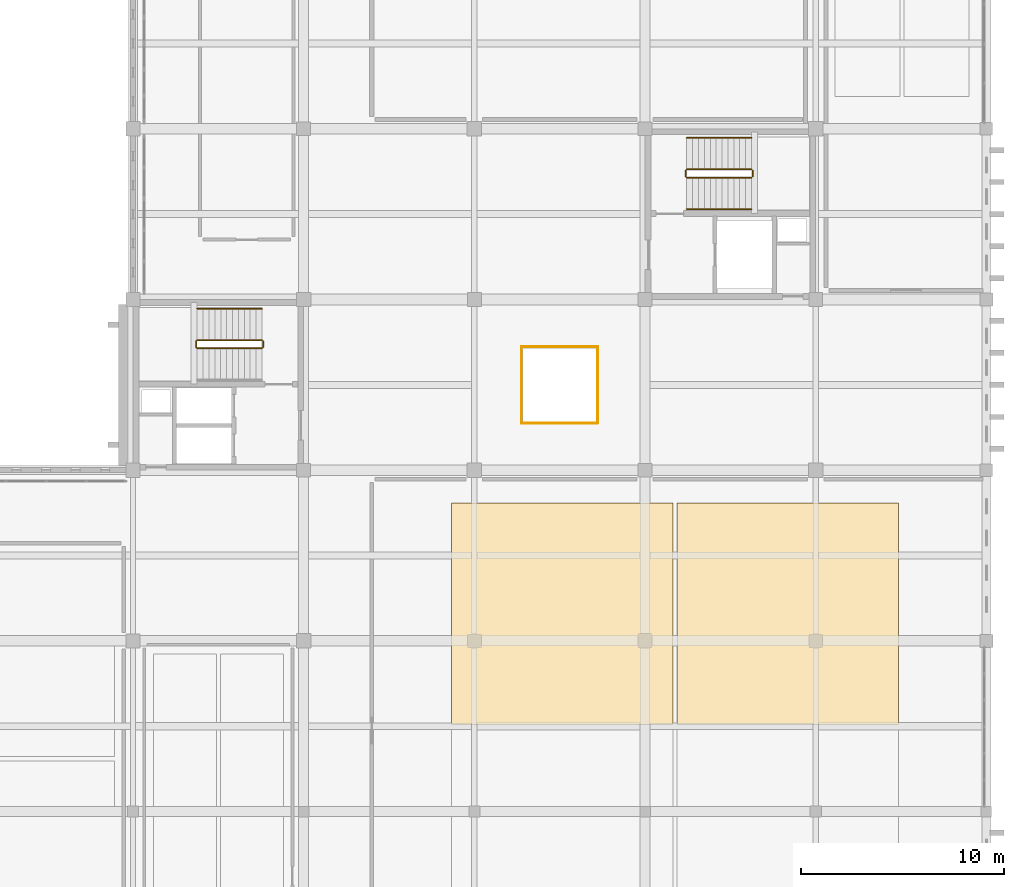
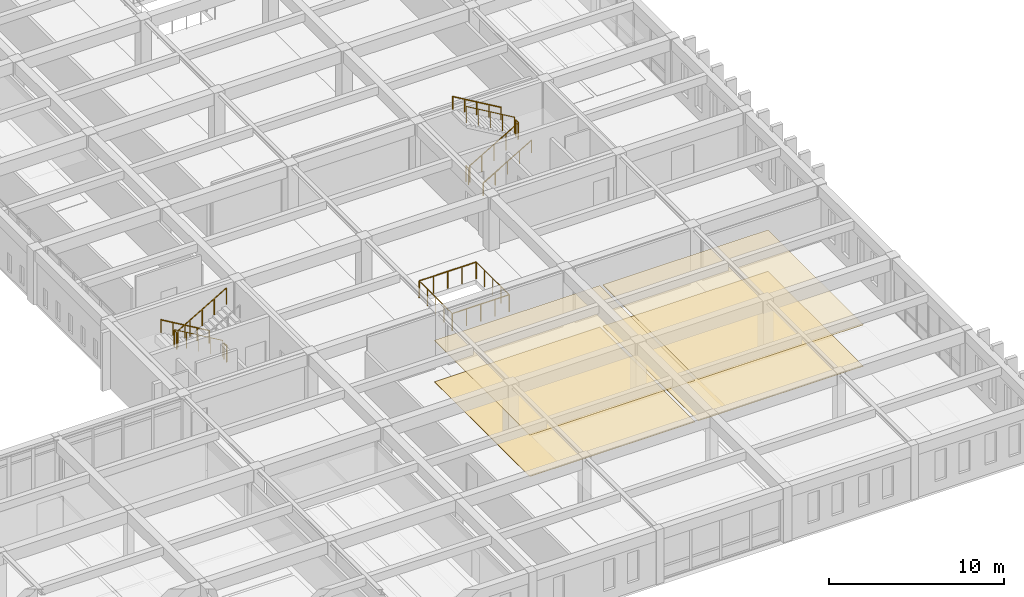
# One storey, part 107 of 110: 15 railings, 4 coverings.
"""IFC4 building model written with IfcOpenShell, lengths in metres."""

from ifc_helpers import new_model, si_unit, direction, frame, origin, origin_2d, place, context, subcontext, project, spatial, rectangle, circle, extrude, material, layer, layer_set, type_object, element, save


model = new_model("IFC4")

# Units and contexts
model_context = context("Model", 3, precision=1e-05, world=origin(), true_north=direction((0.0, 1.0)))
body_context = subcontext(model_context, "Body", "Model", "MODEL_VIEW")
ifc_project = project(units=[si_unit("LENGTHUNIT", "METRE"), si_unit("AREAUNIT", "SQUARE_METRE"), si_unit("VOLUMEUNIT", "CUBIC_METRE"), si_unit("PLANEANGLEUNIT", "RADIAN"), si_unit("MASSUNIT", "GRAM", prefix="KILO")], contexts=[model_context])

# Site, building, storey
site_placement = place(None, origin())
site = spatial("IfcSite", under=ifc_project, at=site_placement, CompositionType="ELEMENT")
building_placement = place(site_placement, origin())
building = spatial("IfcBuilding", under=site, at=building_placement, Name="Kveldsbrygga Polytechnic", CompositionType="ELEMENT")
storey_placement = place(building_placement, frame((0.0, 0.0, 9.860107421875)))
storey = spatial("IfcBuildingStorey", under=building, at=storey_placement, Name="L02", CompositionType="ELEMENT", Elevation=9.860107421875)

# Coverings
ifc_material_1 = material(Name="Acoustic mineral baffle ceiling")
ifc_layer_1 = layer(ifc_material_1, 0.030029296875)
ifc_layer_set_1 = layer_set([ifc_layer_1], Name="Acoustic mineral baffle ceiling")
covering_type_1 = type_object("IfcCoveringType", Name="COV-CEIL-AC30", PredefinedType="CEILING", material=ifc_layer_set_1)
for number, where, z_axis, x_axis, name in (
    (1, (147.125, 18.125, 2.8798828125), (0.0, 0.0, 1.0), (1.0, 0.0, 0.0), "Acoustic Ceiling SP-L02-STD22-WN"),
    (2, (158.22509765625, 18.125, 2.8798828125), (0.0, 0.0, 1.0), (1.0, 0.0, 0.0), "Acoustic Ceiling SP-L02-STD22-EN"),
):
    element("IfcCovering", number, at=place(storey_placement, frame(where, z_axis=z_axis, x_axis=x_axis)), inside=storey, type_object=covering_type_1, Name=name, PredefinedType="CEILING", context=body_context, shape_type="SweptSolid", body=[
        extrude(rectangle(XDim=10.89990234375, YDim=10.89990234375, at=origin_2d()), origin(), (0.0, 0.0, 1.0), 0.030029296875),
    ])
ifc_material_2 = material(Name="Acoustic oak timber flooring", Category="wood")
ifc_layer_2 = layer(ifc_material_2, 0.02197265625)
ifc_layer_set_2 = layer_set([ifc_layer_2], Name="Acoustic oak timber flooring")
covering_type_2 = type_object("IfcCoveringType", Name="COV-FLR-OAK22", PredefinedType="FLOORING", material=ifc_layer_set_2)
for number, where, z_axis, x_axis, name in (
    (3, (147.125, 18.125, 0.0), (0.0, 0.0, 1.0), (1.0, 0.0, 0.0), "Room Flooring SP-L02-STD22-WN"),
    (4, (158.22509765625, 18.125, 0.0), (0.0, 0.0, 1.0), (1.0, 0.0, 0.0), "Room Flooring SP-L02-STD22-EN"),
):
    element("IfcCovering", number, at=place(storey_placement, frame(where, z_axis=z_axis, x_axis=x_axis)), inside=storey, type_object=covering_type_2, Name=name, PredefinedType="FLOORING", context=body_context, shape_type="SweptSolid", body=[
        extrude(rectangle(XDim=10.89990234375, YDim=10.89990234375, at=origin_2d()), origin(), (0.0, 0.0, 1.0), 0.02197265625),
    ])

# Railings
ifc_material_3 = material(Name="Steel S355", Category="steel")
railing_type_1 = type_object("IfcRailingType", Name="RL-STAIR-GRD", PredefinedType="GUARDRAIL", material=ifc_material_3)
railing_1_placement = place(storey_placement, frame((132.35009765625, 31.60009765625, 0.169921875)))
element("IfcRailing", 5, at=railing_1_placement, inside=storey, type_object=railing_type_1, Name="L02 ST-1 stair guard 1", PredefinedType="GUARDRAIL", context=body_context, shape_type="SweptSolid", body=[
    extrude(circle(Radius=0.02392578125, at=origin_2d()), frame((0.0, 0.0, 1.1259765625), z_axis=(-0.862725780356, 0.0, 0.505672055693), x_axis=(0.0, -1.0, 0.0)), (0.0, 0.0, 1.0), 3.69775390625),
    extrude(circle(Radius=0.02099609375, at=origin_2d()), origin(), (0.0, 0.0, 1.0), 1.097900390625),
    extrude(circle(Radius=0.02099609375, at=origin_2d()), frame((-0.797607421875, 0.0, 0.467529296875)), (0.0, 0.0, 1.0), 1.097900390625),
    extrude(circle(Radius=0.02099609375, at=origin_2d()), frame((-1.59521484375, 0.0, 0.93505859375)), (0.0, 0.0, 1.0), 1.097900390625),
    extrude(circle(Radius=0.02099609375, at=origin_2d()), frame((-2.392578125, 0.0, 1.40234375)), (0.0, 0.0, 1.0), 1.097900390625),
    extrude(circle(Radius=0.02099609375, at=origin_2d()), frame((-3.190185546875, 0.0, 1.869873046875)), (0.0, 0.0, 1.0), 1.097900390625),
])
railing_2_placement = place(storey_placement, frame((129.110107421875, 31.550048828125, 2.039794921875)))
element("IfcRailing", 6, at=railing_2_placement, inside=storey, type_object=railing_type_1, Name="L02 ST-1 stair guard 2", PredefinedType="GUARDRAIL", context=body_context, shape_type="SweptSolid", body=[
    extrude(circle(Radius=0.02392578125, at=origin_2d()), frame((0.0, 0.0, 1.1259765625), z_axis=(0.0, -1.0, 0.0), x_axis=(1.0, 0.0, 0.0)), (0.0, 0.0, 1.0), 0.300048828125),
    extrude(circle(Radius=0.02099609375, at=origin_2d()), origin(), (0.0, 0.0, 1.0), 1.097900390625),
    extrude(circle(Radius=0.02099609375, at=origin_2d()), frame((0.0, -0.300048828125, 0.0)), (0.0, 0.0, 1.0), 1.097900390625),
])
railing_3_placement = place(storey_placement, frame((129.159912109375, 31.199951171875, 2.2099609375)))
element("IfcRailing", 7, at=railing_3_placement, inside=storey, type_object=railing_type_1, Name="L02 ST-1 stair guard 3", PredefinedType="GUARDRAIL", context=body_context, shape_type="SweptSolid", body=[
    extrude(circle(Radius=0.02392578125, at=origin_2d()), frame((0.0, 0.0, 1.1259765625), z_axis=(0.862725780356, 0.0, 0.505672055693), x_axis=(0.0, 1.0, 0.0)), (0.0, 0.0, 1.0), 3.69775390625),
    extrude(circle(Radius=0.02099609375, at=origin_2d()), origin(), (0.0, 0.0, 1.0), 1.097900390625),
    extrude(circle(Radius=0.02099609375, at=origin_2d()), frame((0.797607421875, 0.0, 0.467529296875)), (0.0, 0.0, 1.0), 1.097900390625),
    extrude(circle(Radius=0.02099609375, at=origin_2d()), frame((1.59521484375, 0.0, 0.93505859375)), (0.0, 0.0, 1.0), 1.097900390625),
    extrude(circle(Radius=0.02099609375, at=origin_2d()), frame((2.392578125, 0.0, 1.40234375)), (0.0, 0.0, 1.0), 1.097900390625),
    extrude(circle(Radius=0.02099609375, at=origin_2d()), frame((3.190185546875, 0.0, 1.869873046875)), (0.0, 0.0, 1.0), 1.097900390625),
])
railing_4_placement = place(storey_placement, frame((132.39990234375, 31.550048828125, 0.0)))
element("IfcRailing", 8, at=railing_4_placement, inside=storey, type_object=railing_type_1, Name="L02 ST-1 stair guard 4", PredefinedType="GUARDRAIL", context=body_context, shape_type="SweptSolid", body=[
    extrude(circle(Radius=0.02392578125, at=origin_2d()), frame((0.0, 0.0, 1.1259765625), z_axis=(0.0, -1.0, 0.0), x_axis=(1.0, 0.0, 0.0)), (0.0, 0.0, 1.0), 0.300048828125),
    extrude(circle(Radius=0.02099609375, at=origin_2d()), origin(), (0.0, 0.0, 1.0), 1.097900390625),
    extrude(circle(Radius=0.02099609375, at=origin_2d()), frame((0.0, -0.300048828125, 0.0)), (0.0, 0.0, 1.0), 1.097900390625),
])
railing_5_placement = place(storey_placement, frame((153.25, 39.60009765625, 0.169921875)))
element("IfcRailing", 9, at=railing_5_placement, inside=storey, type_object=railing_type_1, Name="L02 ST-3 stair guard 1", PredefinedType="GUARDRAIL", context=body_context, shape_type="SweptSolid", body=[
    extrude(circle(Radius=0.02392578125, at=origin_2d()), frame((0.0, 0.0, 1.1259765625), z_axis=(0.86270889649, 0.0, 0.505700860111), x_axis=(0.0, 1.0, 0.0)), (0.0, 0.0, 1.0), 3.697509765625),
    extrude(circle(Radius=0.02099609375, at=origin_2d()), origin(), (0.0, 0.0, 1.0), 1.097900390625),
    extrude(circle(Radius=0.02099609375, at=origin_2d()), frame((0.79736328125, 0.0, 0.467529296875)), (0.0, 0.0, 1.0), 1.097900390625),
    extrude(circle(Radius=0.02099609375, at=origin_2d()), frame((1.594970703125, 0.0, 0.93505859375)), (0.0, 0.0, 1.0), 1.097900390625),
    extrude(circle(Radius=0.02099609375, at=origin_2d()), frame((2.392578125, 0.0, 1.40234375)), (0.0, 0.0, 1.0), 1.097900390625),
    extrude(circle(Radius=0.02099609375, at=origin_2d()), frame((3.18994140625, 0.0, 1.869873046875)), (0.0, 0.0, 1.0), 1.097900390625),
])
railing_6_placement = place(storey_placement, frame((156.489990234375, 39.64990234375, 2.039794921875)))
element("IfcRailing", 10, at=railing_6_placement, inside=storey, type_object=railing_type_1, Name="L02 ST-3 stair guard 2", PredefinedType="GUARDRAIL", context=body_context, shape_type="SweptSolid", body=[
    extrude(circle(Radius=0.02392578125, at=origin_2d()), frame((0.0, 0.0, 1.1259765625), z_axis=(0.0, 1.0, 0.0), x_axis=(-1.0, 0.0, 0.0)), (0.0, 0.0, 1.0), 0.300048828125),
    extrude(circle(Radius=0.02099609375, at=origin_2d()), origin(), (0.0, 0.0, 1.0), 1.097900390625),
    extrude(circle(Radius=0.02099609375, at=origin_2d()), frame((0.0, 0.300048828125, 0.0)), (0.0, 0.0, 1.0), 1.097900390625),
])
railing_7_placement = place(storey_placement, frame((156.43994140625, 40.0, 2.2099609375)))
element("IfcRailing", 11, at=railing_7_placement, inside=storey, type_object=railing_type_1, Name="L02 ST-3 stair guard 3", PredefinedType="GUARDRAIL", context=body_context, shape_type="SweptSolid", body=[
    extrude(circle(Radius=0.02392578125, at=origin_2d()), frame((0.0, 0.0, 1.1259765625), z_axis=(-0.86270889649, 0.0, 0.505700860111), x_axis=(0.0, -1.0, 0.0)), (0.0, 0.0, 1.0), 3.697509765625),
    extrude(circle(Radius=0.02099609375, at=origin_2d()), origin(), (0.0, 0.0, 1.0), 1.097900390625),
    extrude(circle(Radius=0.02099609375, at=origin_2d()), frame((-0.79736328125, 0.0, 0.467529296875)), (0.0, 0.0, 1.0), 1.097900390625),
    extrude(circle(Radius=0.02099609375, at=origin_2d()), frame((-1.594970703125, 0.0, 0.93505859375)), (0.0, 0.0, 1.0), 1.097900390625),
    extrude(circle(Radius=0.02099609375, at=origin_2d()), frame((-2.392578125, 0.0, 1.40234375)), (0.0, 0.0, 1.0), 1.097900390625),
    extrude(circle(Radius=0.02099609375, at=origin_2d()), frame((-3.18994140625, 0.0, 1.869873046875)), (0.0, 0.0, 1.0), 1.097900390625),
])
railing_8_placement = place(storey_placement, frame((153.199951171875, 39.64990234375, 0.0)))
element("IfcRailing", 12, at=railing_8_placement, inside=storey, type_object=railing_type_1, Name="L02 ST-3 stair guard 4", PredefinedType="GUARDRAIL", context=body_context, shape_type="SweptSolid", body=[
    extrude(circle(Radius=0.02392578125, at=origin_2d()), frame((0.0, 0.0, 1.1259765625), z_axis=(0.0, 1.0, 0.0), x_axis=(-1.0, 0.0, 0.0)), (0.0, 0.0, 1.0), 0.300048828125),
    extrude(circle(Radius=0.02099609375, at=origin_2d()), origin(), (0.0, 0.0, 1.0), 1.097900390625),
    extrude(circle(Radius=0.02099609375, at=origin_2d()), frame((0.0, 0.300048828125, 0.0)), (0.0, 0.0, 1.0), 1.097900390625),
])
railing_type_2 = type_object("IfcRailingType", Name="RL-STAIR-HND", PredefinedType="HANDRAIL", material=ifc_material_3)
railing_9_placement = place(storey_placement, frame((132.35009765625, 33.14990234375, 0.169921875)))
element("IfcRailing", 13, at=railing_9_placement, inside=storey, type_object=railing_type_2, Name="L02 ST-1 stair handrail 1", PredefinedType="HANDRAIL", context=body_context, shape_type="SweptSolid", body=[
    extrude(circle(Radius=0.02392578125, at=origin_2d()), frame((0.0, 0.0, 0.8759765625), z_axis=(-0.862725780356, 0.0, 0.505672055693), x_axis=(0.0, -1.0, 0.0)), (0.0, 0.0, 1.0), 3.69775390625),
    extrude(circle(Radius=0.02099609375, at=origin_2d()), origin(), (0.0, 0.0, 1.0), 0.847900390625),
    extrude(circle(Radius=0.02099609375, at=origin_2d()), frame((-0.797607421875, 0.0, 0.467529296875)), (0.0, 0.0, 1.0), 0.847900390625),
    extrude(circle(Radius=0.02099609375, at=origin_2d()), frame((-1.59521484375, 0.0, 0.93505859375)), (0.0, 0.0, 1.0), 0.847900390625),
    extrude(circle(Radius=0.02099609375, at=origin_2d()), frame((-2.392578125, 0.0, 1.40234375)), (0.0, 0.0, 1.0), 0.847900390625),
    extrude(circle(Radius=0.02099609375, at=origin_2d()), frame((-3.190185546875, 0.0, 1.869873046875)), (0.0, 0.0, 1.0), 0.847900390625),
])
railing_10_placement = place(storey_placement, frame((153.25, 38.050048828125, 0.169921875)))
element("IfcRailing", 14, at=railing_10_placement, inside=storey, type_object=railing_type_2, Name="L02 ST-3 stair handrail 1", PredefinedType="HANDRAIL", context=body_context, shape_type="SweptSolid", body=[
    extrude(circle(Radius=0.02392578125, at=origin_2d()), frame((0.0, 0.0, 0.8759765625), z_axis=(0.86270889649, 0.0, 0.505700860111), x_axis=(0.0, 1.0, 0.0)), (0.0, 0.0, 1.0), 3.697509765625),
    extrude(circle(Radius=0.02099609375, at=origin_2d()), origin(), (0.0, 0.0, 1.0), 0.847900390625),
    extrude(circle(Radius=0.02099609375, at=origin_2d()), frame((0.79736328125, 0.0, 0.467529296875)), (0.0, 0.0, 1.0), 0.847900390625),
    extrude(circle(Radius=0.02099609375, at=origin_2d()), frame((1.594970703125, 0.0, 0.93505859375)), (0.0, 0.0, 1.0), 0.847900390625),
    extrude(circle(Radius=0.02099609375, at=origin_2d()), frame((2.392578125, 0.0, 1.40234375)), (0.0, 0.0, 1.0), 0.847900390625),
    extrude(circle(Radius=0.02099609375, at=origin_2d()), frame((3.18994140625, 0.0, 1.869873046875)), (0.0, 0.0, 1.0), 0.847900390625),
])
railing_11_placement = place(storey_placement, frame((156.43994140625, 41.550048828125, 2.2099609375)))
element("IfcRailing", 15, at=railing_11_placement, inside=storey, type_object=railing_type_2, Name="L02 ST-3 stair handrail 2", PredefinedType="HANDRAIL", context=body_context, shape_type="SweptSolid", body=[
    extrude(circle(Radius=0.02392578125, at=origin_2d()), frame((0.0, 0.0, 0.8759765625), z_axis=(-0.86270889649, 0.0, 0.505700860111), x_axis=(0.0, -1.0, 0.0)), (0.0, 0.0, 1.0), 3.697509765625),
    extrude(circle(Radius=0.02099609375, at=origin_2d()), origin(), (0.0, 0.0, 1.0), 0.847900390625),
    extrude(circle(Radius=0.02099609375, at=origin_2d()), frame((-0.79736328125, 0.0, 0.467529296875)), (0.0, 0.0, 1.0), 0.847900390625),
    extrude(circle(Radius=0.02099609375, at=origin_2d()), frame((-1.594970703125, 0.0, 0.93505859375)), (0.0, 0.0, 1.0), 0.847900390625),
    extrude(circle(Radius=0.02099609375, at=origin_2d()), frame((-2.392578125, 0.0, 1.40234375)), (0.0, 0.0, 1.0), 0.847900390625),
    extrude(circle(Radius=0.02099609375, at=origin_2d()), frame((-3.18994140625, 0.0, 1.869873046875)), (0.0, 0.0, 1.0), 0.847900390625),
])
railing_type_3 = type_object("IfcRailingType", Name="RL-VOID-GRD", PredefinedType="GUARDRAIL", material=ifc_material_3)
railing_12_placement = place(storey_placement, frame((145.1201171875, 27.52001953125, 0.0)))
element("IfcRailing", 16, at=railing_12_placement, inside=storey, type_object=railing_type_3, Name="Atrium Well Guard GRD-L02-WELL-3-S", PredefinedType="GUARDRAIL", context=body_context, shape_type="SweptSolid", body=[
    extrude(circle(Radius=0.02392578125, at=origin_2d()), frame((0.0, 0.0, 1.17578125), z_axis=(1.0, 0.0, 0.0), x_axis=(0.0, 1.0, 0.0)), (0.0, 0.0, 1.0), 3.759765625),
    extrude(circle(Radius=0.02099609375, at=origin_2d()), origin(), (0.0, 0.0, 1.0), 1.14794921875),
    extrude(circle(Radius=0.02099609375, at=origin_2d()), frame((0.93994140625, 0.0, 0.0)), (0.0, 0.0, 1.0), 1.14794921875),
    extrude(circle(Radius=0.02099609375, at=origin_2d()), frame((1.8798828125, 0.0, 0.0)), (0.0, 0.0, 1.0), 1.14794921875),
    extrude(circle(Radius=0.02099609375, at=origin_2d()), frame((2.81982421875, 0.0, 0.0)), (0.0, 0.0, 1.0), 1.14794921875),
    extrude(circle(Radius=0.02099609375, at=origin_2d()), frame((3.759765625, 0.0, 0.0)), (0.0, 0.0, 1.0), 1.14794921875),
])
railing_13_placement = place(storey_placement, frame((148.8798828125, 27.52001953125, 0.0)))
element("IfcRailing", 17, at=railing_13_placement, inside=storey, type_object=railing_type_3, Name="Atrium Well Guard GRD-L02-WELL-3-E", PredefinedType="GUARDRAIL", context=body_context, shape_type="SweptSolid", body=[
    extrude(circle(Radius=0.02392578125, at=origin_2d()), frame((0.0, 0.0, 1.17578125), z_axis=(0.0, 1.0, 0.0), x_axis=(-1.0, 0.0, 0.0)), (0.0, 0.0, 1.0), 3.760009765625),
    extrude(circle(Radius=0.02099609375, at=origin_2d()), origin(), (0.0, 0.0, 1.0), 1.14794921875),
    extrude(circle(Radius=0.02099609375, at=origin_2d()), frame((0.0, 0.93994140625, 0.0)), (0.0, 0.0, 1.0), 1.14794921875),
    extrude(circle(Radius=0.02099609375, at=origin_2d()), frame((0.0, 1.8798828125, 0.0)), (0.0, 0.0, 1.0), 1.14794921875),
    extrude(circle(Radius=0.02099609375, at=origin_2d()), frame((0.0, 2.820068359375, 0.0)), (0.0, 0.0, 1.0), 1.14794921875),
    extrude(circle(Radius=0.02099609375, at=origin_2d()), frame((0.0, 3.760009765625, 0.0)), (0.0, 0.0, 1.0), 1.14794921875),
])
railing_14_placement = place(storey_placement, frame((148.8798828125, 31.280029296875, 0.0)))
element("IfcRailing", 18, at=railing_14_placement, inside=storey, type_object=railing_type_3, Name="Atrium Well Guard GRD-L02-WELL-3-N", PredefinedType="GUARDRAIL", context=body_context, shape_type="SweptSolid", body=[
    extrude(circle(Radius=0.02392578125, at=origin_2d()), frame((0.0, 0.0, 1.17578125), z_axis=(-1.0, 0.0, 0.0), x_axis=(0.0, -1.0, 0.0)), (0.0, 0.0, 1.0), 3.759765625),
    extrude(circle(Radius=0.02099609375, at=origin_2d()), origin(), (0.0, 0.0, 1.0), 1.14794921875),
    extrude(circle(Radius=0.02099609375, at=origin_2d()), frame((-0.93994140625, 0.0, 0.0)), (0.0, 0.0, 1.0), 1.14794921875),
    extrude(circle(Radius=0.02099609375, at=origin_2d()), frame((-1.8798828125, 0.0, 0.0)), (0.0, 0.0, 1.0), 1.14794921875),
    extrude(circle(Radius=0.02099609375, at=origin_2d()), frame((-2.81982421875, 0.0, 0.0)), (0.0, 0.0, 1.0), 1.14794921875),
    extrude(circle(Radius=0.02099609375, at=origin_2d()), frame((-3.759765625, 0.0, 0.0)), (0.0, 0.0, 1.0), 1.14794921875),
])
railing_15_placement = place(storey_placement, frame((145.1201171875, 31.280029296875, 0.0)))
element("IfcRailing", 19, at=railing_15_placement, inside=storey, type_object=railing_type_3, Name="Atrium Well Guard GRD-L02-WELL-3-W", PredefinedType="GUARDRAIL", context=body_context, shape_type="SweptSolid", body=[
    extrude(circle(Radius=0.02392578125, at=origin_2d()), frame((0.0, 0.0, 1.17578125), z_axis=(0.0, -1.0, 0.0), x_axis=(1.0, 0.0, 0.0)), (0.0, 0.0, 1.0), 3.760009765625),
    extrude(circle(Radius=0.02099609375, at=origin_2d()), origin(), (0.0, 0.0, 1.0), 1.14794921875),
    extrude(circle(Radius=0.02099609375, at=origin_2d()), frame((0.0, -0.93994140625, 0.0)), (0.0, 0.0, 1.0), 1.14794921875),
    extrude(circle(Radius=0.02099609375, at=origin_2d()), frame((0.0, -1.8798828125, 0.0)), (0.0, 0.0, 1.0), 1.14794921875),
    extrude(circle(Radius=0.02099609375, at=origin_2d()), frame((0.0, -2.820068359375, 0.0)), (0.0, 0.0, 1.0), 1.14794921875),
    extrude(circle(Radius=0.02099609375, at=origin_2d()), frame((0.0, -3.760009765625, 0.0)), (0.0, 0.0, 1.0), 1.14794921875),
])

save(model, "model.ifc")
